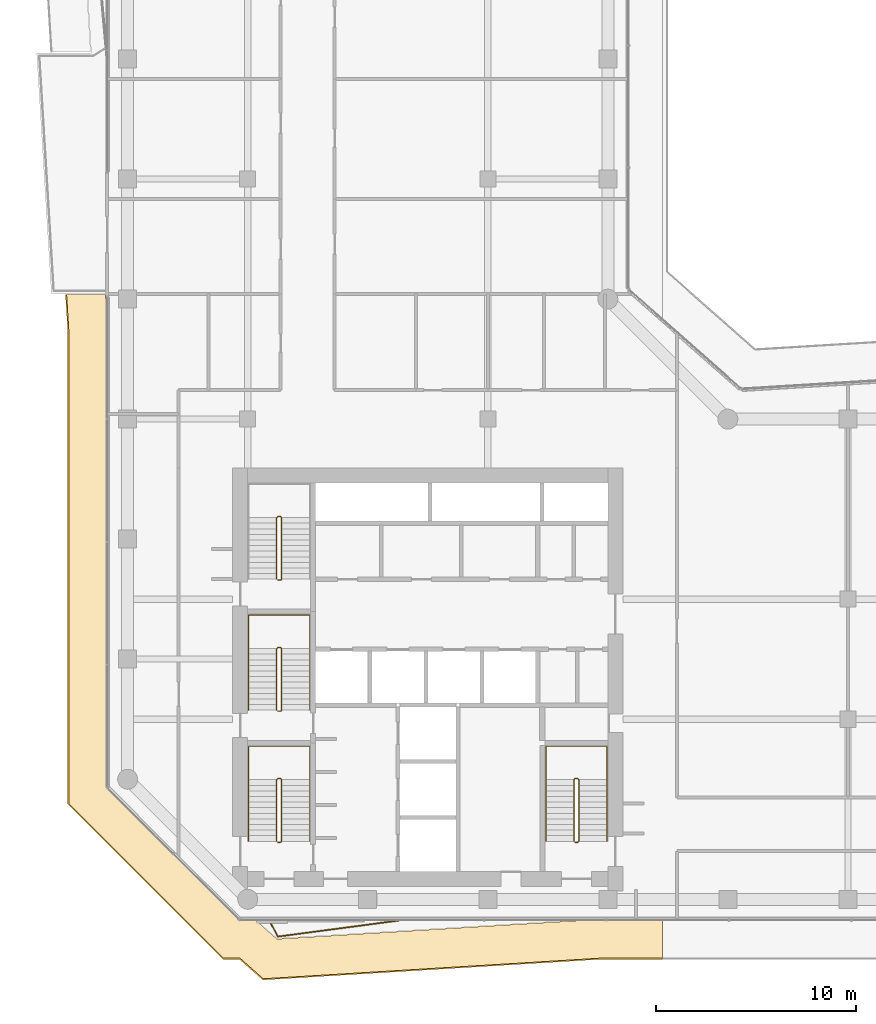
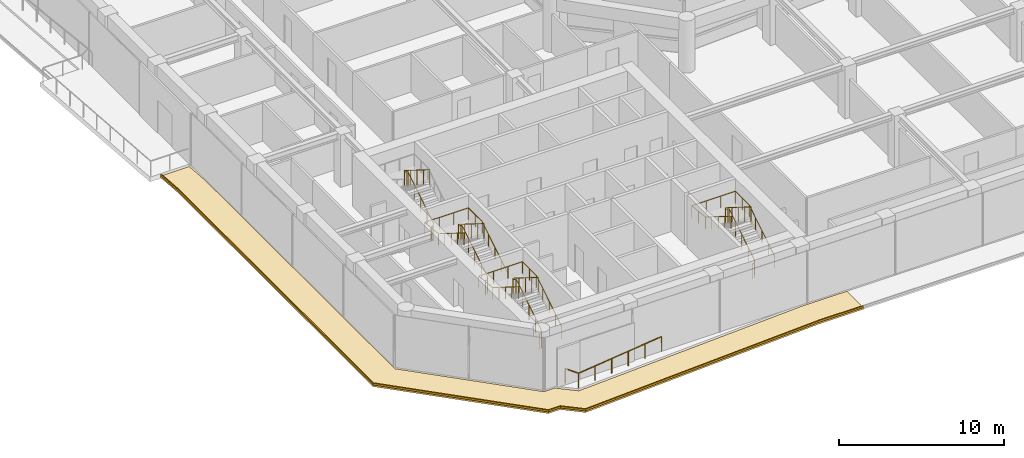
# One storey, part 22 of 23: 8 railings, 2 coverings.
"""IFC4 building model written with IfcOpenShell, lengths in metres."""

from ifc_helpers import new_model, si_unit, direction, frame, origin, origin_2d, place, context, subcontext, project, spatial, polyline, circle, outline, extrude, material, layer, layer_set, type_object, element, save


model = new_model("IFC4")

# Units and contexts
model_context = context("Model", 3, precision=1e-05, world=origin(), true_north=direction((0.0, 1.0)))
body_context = subcontext(model_context, "Body", "Model", "MODEL_VIEW")
ifc_project = project(units=[si_unit("LENGTHUNIT", "METRE"), si_unit("AREAUNIT", "SQUARE_METRE"), si_unit("VOLUMEUNIT", "CUBIC_METRE"), si_unit("PLANEANGLEUNIT", "RADIAN"), si_unit("MASSUNIT", "GRAM", prefix="KILO")], contexts=[model_context])

# Site, building, storey
site_placement = place(None, origin())
site = spatial("IfcSite", under=ifc_project, at=site_placement, CompositionType="ELEMENT")
building_placement = place(site_placement, origin())
building = spatial("IfcBuilding", under=site, at=building_placement, Name="Welwitschia Terrace Campus", CompositionType="ELEMENT")
storey_placement = place(building_placement, frame((0.0, 0.0, 96.199951171875)))
storey = spatial("IfcBuildingStorey", under=building, at=storey_placement, Name="L21", CompositionType="ELEMENT", Elevation=96.199951171875)

# Railings
ifc_material_1 = material(Name="Stainless steel grade 316", Category="steel")
railing_type_1 = type_object("IfcRailingType", Name="Guard 1100", PredefinedType="GUARDRAIL", material=ifc_material_1)
railing_1_placement = place(storey_placement, frame((13.787353515625, 2.969970703125, 0.0)))
element("IfcRailing", 1, at=railing_1_placement, inside=storey, type_object=railing_type_1, Name="Guard floor edge L21.2", PredefinedType="GUARDRAIL", context=body_context, shape_type="SweptSolid", body=[
    extrude(circle(Radius=0.02392578125, at=origin_2d()), frame((0.0, 0.0, 1.076171875), z_axis=(-0.991300394056, -0.131618876855, 0.0), x_axis=(0.131618876855, -0.991300394056, 0.0)), (0.0, 0.0, 1.0), 6.340087890625),
    extrude(circle(Radius=0.02392578125, at=origin_2d()), frame((-6.284912109375, -0.83447265625, 1.076171875), z_axis=(-0.461891893513, 0.886936231477, 0.0), x_axis=(-0.886936231477, -0.461891893513, 0.0)), (0.0, 0.0, 1.0), 0.94091796875),
    extrude(circle(Radius=0.02099609375, at=origin_2d()), origin(), (0.0, 0.0, 1.0), 1.052001953125),
    extrude(circle(Radius=0.02099609375, at=origin_2d()), frame((-1.257080078125, -0.1669921875, 0.0)), (0.0, 0.0, 1.0), 1.052001953125),
    extrude(circle(Radius=0.02099609375, at=origin_2d()), frame((-2.513916015625, -0.333740234375, 0.0)), (0.0, 0.0, 1.0), 1.052001953125),
    extrude(circle(Radius=0.02099609375, at=origin_2d()), frame((-3.77099609375, -0.500732421875, 0.0)), (0.0, 0.0, 1.0), 1.052001953125),
    extrude(circle(Radius=0.02099609375, at=origin_2d()), frame((-5.02783203125, -0.66748046875, 0.0)), (0.0, 0.0, 1.0), 1.052001953125),
    extrude(circle(Radius=0.02099609375, at=origin_2d()), frame((-6.284912109375, -0.83447265625, 0.0)), (0.0, 0.0, 1.0), 1.052001953125),
    extrude(circle(Radius=0.02099609375, at=origin_2d()), frame((-6.719482421875, 0.0, 0.0)), (0.0, 0.0, 1.0), 1.052001953125),
])
ifc_material_2 = material(Name="Steel S355", Category="steel")
railing_type_2 = type_object("IfcRailingType", Name="Stair guard 1100", PredefinedType="GUARDRAIL", material=ifc_material_2)
railing_2_placement = place(storey_placement, frame((7.5, 6.85009765625, 0.0)))
element("IfcRailing", 2, at=railing_2_placement, inside=storey, type_object=railing_type_2, Name="L21 S1 stair guard", PredefinedType="GUARDRAIL", context=body_context, shape_type="SweptSolid", body=[
    extrude(circle(Radius=0.02392578125, at=origin_2d()), frame((0.0, 0.0, 1.076171875), z_axis=(1.0, 0.0, 0.0), x_axis=(0.0, 1.0, 0.0)), (0.0, 0.0, 1.0), 0.14990234375),
    extrude(circle(Radius=0.02392578125, at=origin_2d()), frame((0.14990234375, 0.0, 1.076171875), z_axis=(0.265155923931, 0.263862480399, 0.927399011991), x_axis=(-0.705375805398, 0.708833529934, 0.0)), (0.0, 0.0, 1.0), 0.188720703125),
    extrude(circle(Radius=0.02392578125, at=origin_2d()), frame((0.199951171875, 0.0498046875, 1.2509765625), z_axis=(0.0, 0.847998304005, 0.529998940003), x_axis=(-1.0, 0.0, 0.0)), (0.0, 0.0, 1.0), 3.632080078125),
    extrude(circle(Radius=0.02392578125, at=origin_2d()), frame((0.199951171875, 3.1298828125, 3.17626953125), z_axis=(-0.707106781187, 0.707106781187, 0.0), x_axis=(-0.707106781187, -0.707106781187, 0.0)), (0.0, 0.0, 1.0), 0.07080078125),
    extrude(circle(Radius=0.02392578125, at=origin_2d()), frame((0.14990234375, 3.179931640625, 3.17626953125), z_axis=(-1.0, 0.0, 0.0), x_axis=(0.0, -1.0, 0.0)), (0.0, 0.0, 1.0), 0.14990234375),
    extrude(circle(Radius=0.02392578125, at=origin_2d()), frame((0.0, 3.179931640625, 3.17626953125), z_axis=(-0.265065253269, -0.265065253269, 0.927081885822), x_axis=(0.707106781187, -0.707106781187, 0.0)), (0.0, 0.0, 1.0), 0.188720703125),
    extrude(circle(Radius=0.02392578125, at=origin_2d()), frame((-0.050048828125, 3.1298828125, 3.35107421875), z_axis=(0.0, -0.848028513186, 0.529950602248), x_axis=(1.0, 0.0, 0.0)), (0.0, 0.0, 1.0), 3.632080078125),
    extrude(circle(Radius=0.02099609375, at=origin_2d()), origin(), (0.0, 0.0, 1.0), 1.052001953125),
    extrude(circle(Radius=0.02099609375, at=origin_2d()), frame((0.14990234375, 0.0, 0.0)), (0.0, 0.0, 1.0), 1.052001953125),
    extrude(circle(Radius=0.02099609375, at=origin_2d()), frame((0.199951171875, 0.0498046875, 0.175048828125)), (0.0, 0.0, 1.0), 1.052001953125),
    extrude(circle(Radius=0.02099609375, at=origin_2d()), frame((0.199951171875, 0.81982421875, 0.65625)), (0.0, 0.0, 1.0), 1.052001953125),
    extrude(circle(Radius=0.02099609375, at=origin_2d()), frame((0.199951171875, 1.58984375, 1.1376953125)), (0.0, 0.0, 1.0), 1.052001953125),
    extrude(circle(Radius=0.02099609375, at=origin_2d()), frame((0.199951171875, 2.35986328125, 1.618896484375)), (0.0, 0.0, 1.0), 1.052001953125),
    extrude(circle(Radius=0.02099609375, at=origin_2d()), frame((0.199951171875, 3.1298828125, 2.10009765625)), (0.0, 0.0, 1.0), 1.052001953125),
    extrude(circle(Radius=0.02099609375, at=origin_2d()), frame((0.14990234375, 3.179931640625, 2.10009765625)), (0.0, 0.0, 1.0), 1.052001953125),
    extrude(circle(Radius=0.02099609375, at=origin_2d()), frame((0.0, 3.179931640625, 2.10009765625)), (0.0, 0.0, 1.0), 1.052001953125),
    extrude(circle(Radius=0.02099609375, at=origin_2d()), frame((-0.050048828125, 3.1298828125, 2.275146484375)), (0.0, 0.0, 1.0), 1.052001953125),
    extrude(circle(Radius=0.02099609375, at=origin_2d()), frame((-0.050048828125, 2.35986328125, 2.75634765625)), (0.0, 0.0, 1.0), 1.052001953125),
    extrude(circle(Radius=0.02099609375, at=origin_2d()), frame((-0.050048828125, 1.58984375, 3.237548828125)), (0.0, 0.0, 1.0), 1.052001953125),
    extrude(circle(Radius=0.02099609375, at=origin_2d()), frame((-0.050048828125, 0.81982421875, 3.71875)), (0.0, 0.0, 1.0), 1.052001953125),
    extrude(circle(Radius=0.02099609375, at=origin_2d()), frame((-0.050048828125, 0.0498046875, 4.199951171875)), (0.0, 0.0, 1.0), 1.052001953125),
])
railing_3_placement = place(storey_placement, frame((7.5, 13.39990234375, 0.0)))
element("IfcRailing", 3, at=railing_3_placement, inside=storey, type_object=railing_type_2, Name="L21 S3 stair guard", PredefinedType="GUARDRAIL", context=body_context, shape_type="SweptSolid", body=[
    extrude(circle(Radius=0.02392578125, at=origin_2d()), frame((0.0, 0.0, 1.076171875), z_axis=(1.0, 0.0, 0.0), x_axis=(0.0, 1.0, 0.0)), (0.0, 0.0, 1.0), 0.14990234375),
    extrude(circle(Radius=0.02392578125, at=origin_2d()), frame((0.14990234375, 0.0, 1.076171875), z_axis=(0.265065253269, 0.265065253269, 0.927081885822), x_axis=(-0.707106781187, 0.707106781187, 0.0)), (0.0, 0.0, 1.0), 0.188720703125),
    extrude(circle(Radius=0.02392578125, at=origin_2d()), frame((0.199951171875, 0.050048828125, 1.2509765625), z_axis=(0.0, 0.847998304005, 0.529998940003), x_axis=(-1.0, 0.0, 0.0)), (0.0, 0.0, 1.0), 3.632080078125),
    extrude(circle(Radius=0.02392578125, at=origin_2d()), frame((0.199951171875, 3.130126953125, 3.17626953125), z_axis=(-0.707106781187, 0.707106781187, 0.0), x_axis=(-0.707106781187, -0.707106781187, 0.0)), (0.0, 0.0, 1.0), 0.07080078125),
    extrude(circle(Radius=0.02392578125, at=origin_2d()), frame((0.14990234375, 3.18017578125, 3.17626953125), z_axis=(-1.0, 0.0, 0.0), x_axis=(0.0, -1.0, 0.0)), (0.0, 0.0, 1.0), 0.14990234375),
    extrude(circle(Radius=0.02392578125, at=origin_2d()), frame((0.0, 3.18017578125, 3.17626953125), z_axis=(-0.265065253269, -0.265065253269, 0.927081885822), x_axis=(0.707106781187, -0.707106781187, 0.0)), (0.0, 0.0, 1.0), 0.188720703125),
    extrude(circle(Radius=0.02392578125, at=origin_2d()), frame((-0.050048828125, 3.130126953125, 3.35107421875), z_axis=(0.0, -0.848028513186, 0.529950602248), x_axis=(1.0, 0.0, 0.0)), (0.0, 0.0, 1.0), 3.632080078125),
    extrude(circle(Radius=0.02099609375, at=origin_2d()), origin(), (0.0, 0.0, 1.0), 1.052001953125),
    extrude(circle(Radius=0.02099609375, at=origin_2d()), frame((0.14990234375, 0.0, 0.0)), (0.0, 0.0, 1.0), 1.052001953125),
    extrude(circle(Radius=0.02099609375, at=origin_2d()), frame((0.199951171875, 0.050048828125, 0.175048828125)), (0.0, 0.0, 1.0), 1.052001953125),
    extrude(circle(Radius=0.02099609375, at=origin_2d()), frame((0.199951171875, 0.820068359375, 0.65625)), (0.0, 0.0, 1.0), 1.052001953125),
    extrude(circle(Radius=0.02099609375, at=origin_2d()), frame((0.199951171875, 1.590087890625, 1.1376953125)), (0.0, 0.0, 1.0), 1.052001953125),
    extrude(circle(Radius=0.02099609375, at=origin_2d()), frame((0.199951171875, 2.360107421875, 1.618896484375)), (0.0, 0.0, 1.0), 1.052001953125),
    extrude(circle(Radius=0.02099609375, at=origin_2d()), frame((0.199951171875, 3.130126953125, 2.10009765625)), (0.0, 0.0, 1.0), 1.052001953125),
    extrude(circle(Radius=0.02099609375, at=origin_2d()), frame((0.14990234375, 3.18017578125, 2.10009765625)), (0.0, 0.0, 1.0), 1.052001953125),
    extrude(circle(Radius=0.02099609375, at=origin_2d()), frame((0.0, 3.18017578125, 2.10009765625)), (0.0, 0.0, 1.0), 1.052001953125),
    extrude(circle(Radius=0.02099609375, at=origin_2d()), frame((-0.050048828125, 3.130126953125, 2.275146484375)), (0.0, 0.0, 1.0), 1.052001953125),
    extrude(circle(Radius=0.02099609375, at=origin_2d()), frame((-0.050048828125, 2.360107421875, 2.75634765625)), (0.0, 0.0, 1.0), 1.052001953125),
    extrude(circle(Radius=0.02099609375, at=origin_2d()), frame((-0.050048828125, 1.590087890625, 3.237548828125)), (0.0, 0.0, 1.0), 1.052001953125),
    extrude(circle(Radius=0.02099609375, at=origin_2d()), frame((-0.050048828125, 0.820068359375, 3.71875)), (0.0, 0.0, 1.0), 1.052001953125),
    extrude(circle(Radius=0.02099609375, at=origin_2d()), frame((-0.050048828125, 0.050048828125, 4.199951171875)), (0.0, 0.0, 1.0), 1.052001953125),
])
railing_4_placement = place(storey_placement, frame((7.5, 19.949951171875, 0.0)))
element("IfcRailing", 4, at=railing_4_placement, inside=storey, type_object=railing_type_2, Name="L21 S4 stair guard", PredefinedType="GUARDRAIL", context=body_context, shape_type="SweptSolid", body=[
    extrude(circle(Radius=0.02392578125, at=origin_2d()), frame((0.0, 0.0, 1.076171875), z_axis=(1.0, 0.0, 0.0), x_axis=(0.0, 1.0, 0.0)), (0.0, 0.0, 1.0), 0.14990234375),
    extrude(circle(Radius=0.02392578125, at=origin_2d()), frame((0.14990234375, 0.0, 1.076171875), z_axis=(0.265065253269, 0.265065253269, 0.927081885822), x_axis=(-0.707106781187, 0.707106781187, 0.0)), (0.0, 0.0, 1.0), 0.188720703125),
    extrude(circle(Radius=0.02392578125, at=origin_2d()), frame((0.199951171875, 0.050048828125, 1.2509765625), z_axis=(0.0, 0.847998304005, 0.529998940003), x_axis=(-1.0, 0.0, 0.0)), (0.0, 0.0, 1.0), 3.632080078125),
    extrude(circle(Radius=0.02392578125, at=origin_2d()), frame((0.199951171875, 3.130126953125, 3.17626953125), z_axis=(-0.708833529934, 0.705375805398, 0.0), x_axis=(-0.705375805398, -0.708833529934, 0.0)), (0.0, 0.0, 1.0), 0.070556640625),
    extrude(circle(Radius=0.02392578125, at=origin_2d()), frame((0.14990234375, 3.179931640625, 3.17626953125), z_axis=(-1.0, 0.0, 0.0), x_axis=(0.0, -1.0, 0.0)), (0.0, 0.0, 1.0), 0.14990234375),
    extrude(circle(Radius=0.02392578125, at=origin_2d()), frame((0.0, 3.179931640625, 3.17626953125), z_axis=(-0.265155923931, -0.263862480399, 0.927399011991), x_axis=(0.705375805398, -0.708833529934, 0.0)), (0.0, 0.0, 1.0), 0.188720703125),
    extrude(circle(Radius=0.02392578125, at=origin_2d()), frame((-0.050048828125, 3.130126953125, 3.35107421875), z_axis=(0.0, -0.848028513186, 0.529950602248), x_axis=(1.0, 0.0, 0.0)), (0.0, 0.0, 1.0), 3.632080078125),
    extrude(circle(Radius=0.02099609375, at=origin_2d()), origin(), (0.0, 0.0, 1.0), 1.052001953125),
    extrude(circle(Radius=0.02099609375, at=origin_2d()), frame((0.14990234375, 0.0, 0.0)), (0.0, 0.0, 1.0), 1.052001953125),
    extrude(circle(Radius=0.02099609375, at=origin_2d()), frame((0.199951171875, 0.050048828125, 0.175048828125)), (0.0, 0.0, 1.0), 1.052001953125),
    extrude(circle(Radius=0.02099609375, at=origin_2d()), frame((0.199951171875, 0.820068359375, 0.65625)), (0.0, 0.0, 1.0), 1.052001953125),
    extrude(circle(Radius=0.02099609375, at=origin_2d()), frame((0.199951171875, 1.590087890625, 1.1376953125)), (0.0, 0.0, 1.0), 1.052001953125),
    extrude(circle(Radius=0.02099609375, at=origin_2d()), frame((0.199951171875, 2.360107421875, 1.618896484375)), (0.0, 0.0, 1.0), 1.052001953125),
    extrude(circle(Radius=0.02099609375, at=origin_2d()), frame((0.199951171875, 3.130126953125, 2.10009765625)), (0.0, 0.0, 1.0), 1.052001953125),
    extrude(circle(Radius=0.02099609375, at=origin_2d()), frame((0.14990234375, 3.179931640625, 2.10009765625)), (0.0, 0.0, 1.0), 1.052001953125),
    extrude(circle(Radius=0.02099609375, at=origin_2d()), frame((0.0, 3.179931640625, 2.10009765625)), (0.0, 0.0, 1.0), 1.052001953125),
    extrude(circle(Radius=0.02099609375, at=origin_2d()), frame((-0.050048828125, 3.130126953125, 2.275146484375)), (0.0, 0.0, 1.0), 1.052001953125),
    extrude(circle(Radius=0.02099609375, at=origin_2d()), frame((-0.050048828125, 2.360107421875, 2.75634765625)), (0.0, 0.0, 1.0), 1.052001953125),
    extrude(circle(Radius=0.02099609375, at=origin_2d()), frame((-0.050048828125, 1.590087890625, 3.237548828125)), (0.0, 0.0, 1.0), 1.052001953125),
    extrude(circle(Radius=0.02099609375, at=origin_2d()), frame((-0.050048828125, 0.820068359375, 3.71875)), (0.0, 0.0, 1.0), 1.052001953125),
    extrude(circle(Radius=0.02099609375, at=origin_2d()), frame((-0.050048828125, 0.050048828125, 4.199951171875)), (0.0, 0.0, 1.0), 1.052001953125),
])
railing_5_placement = place(storey_placement, frame((22.35009765625, 6.85009765625, 0.0)))
element("IfcRailing", 5, at=railing_5_placement, inside=storey, type_object=railing_type_2, Name="L21 S2 stair guard", PredefinedType="GUARDRAIL", context=body_context, shape_type="SweptSolid", body=[
    extrude(circle(Radius=0.02392578125, at=origin_2d()), frame((0.0, 0.0, 1.076171875), z_axis=(1.0, 0.0, 0.0), x_axis=(0.0, 1.0, 0.0)), (0.0, 0.0, 1.0), 0.14990234375),
    extrude(circle(Radius=0.02392578125, at=origin_2d()), frame((0.14990234375, 0.0, 1.076171875), z_axis=(0.265155923931, 0.263862480399, 0.927399011991), x_axis=(-0.705375805398, 0.708833529934, 0.0)), (0.0, 0.0, 1.0), 0.188720703125),
    extrude(circle(Radius=0.02392578125, at=origin_2d()), frame((0.199951171875, 0.0498046875, 1.2509765625), z_axis=(0.0, 0.847998304005, 0.529998940003), x_axis=(-1.0, 0.0, 0.0)), (0.0, 0.0, 1.0), 3.632080078125),
    extrude(circle(Radius=0.02392578125, at=origin_2d()), frame((0.199951171875, 3.1298828125, 3.17626953125), z_axis=(-0.707106781187, 0.707106781187, 0.0), x_axis=(-0.707106781187, -0.707106781187, 0.0)), (0.0, 0.0, 1.0), 0.07080078125),
    extrude(circle(Radius=0.02392578125, at=origin_2d()), frame((0.14990234375, 3.179931640625, 3.17626953125), z_axis=(-1.0, 0.0, 0.0), x_axis=(0.0, -1.0, 0.0)), (0.0, 0.0, 1.0), 0.14990234375),
    extrude(circle(Radius=0.02392578125, at=origin_2d()), frame((0.0, 3.179931640625, 3.17626953125), z_axis=(-0.265065253269, -0.265065253269, 0.927081885822), x_axis=(0.707106781187, -0.707106781187, 0.0)), (0.0, 0.0, 1.0), 0.188720703125),
    extrude(circle(Radius=0.02392578125, at=origin_2d()), frame((-0.050048828125, 3.1298828125, 3.35107421875), z_axis=(0.0, -0.848028513186, 0.529950602248), x_axis=(1.0, 0.0, 0.0)), (0.0, 0.0, 1.0), 3.632080078125),
    extrude(circle(Radius=0.02099609375, at=origin_2d()), origin(), (0.0, 0.0, 1.0), 1.052001953125),
    extrude(circle(Radius=0.02099609375, at=origin_2d()), frame((0.14990234375, 0.0, 0.0)), (0.0, 0.0, 1.0), 1.052001953125),
    extrude(circle(Radius=0.02099609375, at=origin_2d()), frame((0.199951171875, 0.0498046875, 0.175048828125)), (0.0, 0.0, 1.0), 1.052001953125),
    extrude(circle(Radius=0.02099609375, at=origin_2d()), frame((0.199951171875, 0.81982421875, 0.65625)), (0.0, 0.0, 1.0), 1.052001953125),
    extrude(circle(Radius=0.02099609375, at=origin_2d()), frame((0.199951171875, 1.58984375, 1.1376953125)), (0.0, 0.0, 1.0), 1.052001953125),
    extrude(circle(Radius=0.02099609375, at=origin_2d()), frame((0.199951171875, 2.35986328125, 1.618896484375)), (0.0, 0.0, 1.0), 1.052001953125),
    extrude(circle(Radius=0.02099609375, at=origin_2d()), frame((0.199951171875, 3.1298828125, 2.10009765625)), (0.0, 0.0, 1.0), 1.052001953125),
    extrude(circle(Radius=0.02099609375, at=origin_2d()), frame((0.14990234375, 3.179931640625, 2.10009765625)), (0.0, 0.0, 1.0), 1.052001953125),
    extrude(circle(Radius=0.02099609375, at=origin_2d()), frame((0.0, 3.179931640625, 2.10009765625)), (0.0, 0.0, 1.0), 1.052001953125),
    extrude(circle(Radius=0.02099609375, at=origin_2d()), frame((-0.050048828125, 3.1298828125, 2.275146484375)), (0.0, 0.0, 1.0), 1.052001953125),
    extrude(circle(Radius=0.02099609375, at=origin_2d()), frame((-0.050048828125, 2.35986328125, 2.75634765625)), (0.0, 0.0, 1.0), 1.052001953125),
    extrude(circle(Radius=0.02099609375, at=origin_2d()), frame((-0.050048828125, 1.58984375, 3.237548828125)), (0.0, 0.0, 1.0), 1.052001953125),
    extrude(circle(Radius=0.02099609375, at=origin_2d()), frame((-0.050048828125, 0.81982421875, 3.71875)), (0.0, 0.0, 1.0), 1.052001953125),
    extrude(circle(Radius=0.02099609375, at=origin_2d()), frame((-0.050048828125, 0.0498046875, 4.199951171875)), (0.0, 0.0, 1.0), 1.052001953125),
])
ifc_material_3 = material(Name="Steel S355", Category="steel")
railing_type_3 = type_object("IfcRailingType", Name="Stair handrail 900", PredefinedType="HANDRAIL", material=ifc_material_3)
railing_6_placement = place(storey_placement, frame((9.10009765625, 6.89990234375, 0.175048828125)))
element("IfcRailing", 6, at=railing_6_placement, inside=storey, type_object=railing_type_3, Name="L21 S1 stair handrail", PredefinedType="HANDRAIL", context=body_context, shape_type="SweptSolid", body=[
    extrude(circle(Radius=0.02392578125, at=origin_2d()), frame((0.0, 0.0, 0.8759765625), z_axis=(0.0, 0.847998304005, 0.529998940003), x_axis=(-1.0, 0.0, 0.0)), (0.0, 0.0, 1.0), 3.632080078125),
    extrude(circle(Radius=0.02392578125, at=origin_2d()), frame((0.0, 3.080078125, 2.80078125), z_axis=(0.0, 1.0, 0.0), x_axis=(-1.0, 0.0, 0.0)), (0.0, 0.0, 1.0), 1.669921875),
    extrude(circle(Radius=0.02392578125, at=origin_2d()), frame((0.0, 4.75, 2.80078125), z_axis=(-1.0, 0.0, 0.0), x_axis=(0.0, -1.0, 0.0)), (0.0, 0.0, 1.0), 3.050048828125),
    extrude(circle(Radius=0.02392578125, at=origin_2d()), frame((-3.050048828125, 4.75, 2.80078125), z_axis=(0.0, -0.99455077262, 0.104253348533), x_axis=(1.0, 0.0, 0.0)), (0.0, 0.0, 1.0), 1.678955078125),
    extrude(circle(Radius=0.02392578125, at=origin_2d()), frame((-3.050048828125, 3.080078125, 2.97607421875), z_axis=(0.0, -0.848028513186, 0.529950602248), x_axis=(1.0, 0.0, 0.0)), (0.0, 0.0, 1.0), 3.632080078125),
    extrude(circle(Radius=0.02099609375, at=origin_2d()), origin(), (0.0, 0.0, 1.0), 0.851806640625),
    extrude(circle(Radius=0.02099609375, at=origin_2d()), frame((0.0, 0.77001953125, 0.481201171875)), (0.0, 0.0, 1.0), 0.851806640625),
    extrude(circle(Radius=0.02099609375, at=origin_2d()), frame((0.0, 1.5400390625, 0.96240234375)), (0.0, 0.0, 1.0), 0.851806640625),
    extrude(circle(Radius=0.02099609375, at=origin_2d()), frame((0.0, 2.31005859375, 1.44384765625)), (0.0, 0.0, 1.0), 0.851806640625),
    extrude(circle(Radius=0.02099609375, at=origin_2d()), frame((0.0, 3.080078125, 1.925048828125)), (0.0, 0.0, 1.0), 0.851806640625),
    extrude(circle(Radius=0.02099609375, at=origin_2d()), frame((0.0, 3.9150390625, 1.925048828125)), (0.0, 0.0, 1.0), 0.851806640625),
    extrude(circle(Radius=0.02099609375, at=origin_2d()), frame((0.0, 4.75, 1.925048828125)), (0.0, 0.0, 1.0), 0.851806640625),
    extrude(circle(Radius=0.02099609375, at=origin_2d()), frame((-1.0166015625, 4.75, 1.925048828125)), (0.0, 0.0, 1.0), 0.851806640625),
    extrude(circle(Radius=0.02099609375, at=origin_2d()), frame((-2.033447265625, 4.75, 1.925048828125)), (0.0, 0.0, 1.0), 0.851806640625),
    extrude(circle(Radius=0.02099609375, at=origin_2d()), frame((-3.050048828125, 4.75, 1.925048828125)), (0.0, 0.0, 1.0), 0.851806640625),
    extrude(circle(Radius=0.02099609375, at=origin_2d()), frame((-3.050048828125, 3.9150390625, 2.0126953125)), (0.0, 0.0, 1.0), 0.851806640625),
    extrude(circle(Radius=0.02099609375, at=origin_2d()), frame((-3.050048828125, 3.080078125, 2.10009765625)), (0.0, 0.0, 1.0), 0.851806640625),
    extrude(circle(Radius=0.02099609375, at=origin_2d()), frame((-3.050048828125, 2.31005859375, 2.581298828125)), (0.0, 0.0, 1.0), 0.851806640625),
    extrude(circle(Radius=0.02099609375, at=origin_2d()), frame((-3.050048828125, 1.5400390625, 3.0625)), (0.0, 0.0, 1.0), 0.851806640625),
    extrude(circle(Radius=0.02099609375, at=origin_2d()), frame((-3.050048828125, 0.77001953125, 3.543701171875)), (0.0, 0.0, 1.0), 0.851806640625),
    extrude(circle(Radius=0.02099609375, at=origin_2d()), frame((-3.050048828125, 0.0, 4.02490234375)), (0.0, 0.0, 1.0), 0.851806640625),
])
railing_7_placement = place(storey_placement, frame((9.10009765625, 13.449951171875, 0.175048828125)))
element("IfcRailing", 7, at=railing_7_placement, inside=storey, type_object=railing_type_3, Name="L21 S3 stair handrail", PredefinedType="HANDRAIL", context=body_context, shape_type="SweptSolid", body=[
    extrude(circle(Radius=0.02392578125, at=origin_2d()), frame((0.0, 0.0, 0.8759765625), z_axis=(0.0, 0.847998304005, 0.529998940003), x_axis=(-1.0, 0.0, 0.0)), (0.0, 0.0, 1.0), 3.632080078125),
    extrude(circle(Radius=0.02392578125, at=origin_2d()), frame((0.0, 3.080078125, 2.80078125), z_axis=(0.0, 1.0, 0.0), x_axis=(-1.0, 0.0, 0.0)), (0.0, 0.0, 1.0), 1.669921875),
    extrude(circle(Radius=0.02392578125, at=origin_2d()), frame((0.0, 4.75, 2.80078125), z_axis=(-1.0, 0.0, 0.0), x_axis=(0.0, -1.0, 0.0)), (0.0, 0.0, 1.0), 3.050048828125),
    extrude(circle(Radius=0.02392578125, at=origin_2d()), frame((-3.050048828125, 4.75, 2.80078125), z_axis=(0.0, -0.99455077262, 0.104253348533), x_axis=(1.0, 0.0, 0.0)), (0.0, 0.0, 1.0), 1.678955078125),
    extrude(circle(Radius=0.02392578125, at=origin_2d()), frame((-3.050048828125, 3.080078125, 2.97607421875), z_axis=(0.0, -0.848028513186, 0.529950602248), x_axis=(1.0, 0.0, 0.0)), (0.0, 0.0, 1.0), 3.632080078125),
    extrude(circle(Radius=0.02099609375, at=origin_2d()), origin(), (0.0, 0.0, 1.0), 0.851806640625),
    extrude(circle(Radius=0.02099609375, at=origin_2d()), frame((0.0, 0.77001953125, 0.481201171875)), (0.0, 0.0, 1.0), 0.851806640625),
    extrude(circle(Radius=0.02099609375, at=origin_2d()), frame((0.0, 1.5400390625, 0.96240234375)), (0.0, 0.0, 1.0), 0.851806640625),
    extrude(circle(Radius=0.02099609375, at=origin_2d()), frame((0.0, 2.31005859375, 1.44384765625)), (0.0, 0.0, 1.0), 0.851806640625),
    extrude(circle(Radius=0.02099609375, at=origin_2d()), frame((0.0, 3.080078125, 1.925048828125)), (0.0, 0.0, 1.0), 0.851806640625),
    extrude(circle(Radius=0.02099609375, at=origin_2d()), frame((0.0, 3.9150390625, 1.925048828125)), (0.0, 0.0, 1.0), 0.851806640625),
    extrude(circle(Radius=0.02099609375, at=origin_2d()), frame((0.0, 4.75, 1.925048828125)), (0.0, 0.0, 1.0), 0.851806640625),
    extrude(circle(Radius=0.02099609375, at=origin_2d()), frame((-1.0166015625, 4.75, 1.925048828125)), (0.0, 0.0, 1.0), 0.851806640625),
    extrude(circle(Radius=0.02099609375, at=origin_2d()), frame((-2.033447265625, 4.75, 1.925048828125)), (0.0, 0.0, 1.0), 0.851806640625),
    extrude(circle(Radius=0.02099609375, at=origin_2d()), frame((-3.050048828125, 4.75, 1.925048828125)), (0.0, 0.0, 1.0), 0.851806640625),
    extrude(circle(Radius=0.02099609375, at=origin_2d()), frame((-3.050048828125, 3.9150390625, 2.0126953125)), (0.0, 0.0, 1.0), 0.851806640625),
    extrude(circle(Radius=0.02099609375, at=origin_2d()), frame((-3.050048828125, 3.080078125, 2.10009765625)), (0.0, 0.0, 1.0), 0.851806640625),
    extrude(circle(Radius=0.02099609375, at=origin_2d()), frame((-3.050048828125, 2.31005859375, 2.581298828125)), (0.0, 0.0, 1.0), 0.851806640625),
    extrude(circle(Radius=0.02099609375, at=origin_2d()), frame((-3.050048828125, 1.5400390625, 3.0625)), (0.0, 0.0, 1.0), 0.851806640625),
    extrude(circle(Radius=0.02099609375, at=origin_2d()), frame((-3.050048828125, 0.77001953125, 3.543701171875)), (0.0, 0.0, 1.0), 0.851806640625),
    extrude(circle(Radius=0.02099609375, at=origin_2d()), frame((-3.050048828125, 0.0, 4.02490234375)), (0.0, 0.0, 1.0), 0.851806640625),
])
railing_8_placement = place(storey_placement, frame((23.949951171875, 6.89990234375, 0.175048828125)))
element("IfcRailing", 8, at=railing_8_placement, inside=storey, type_object=railing_type_3, Name="L21 S2 stair handrail", PredefinedType="HANDRAIL", context=body_context, shape_type="SweptSolid", body=[
    extrude(circle(Radius=0.02392578125, at=origin_2d()), frame((0.0, 0.0, 0.8759765625), z_axis=(0.0, 0.847998304005, 0.529998940003), x_axis=(-1.0, 0.0, 0.0)), (0.0, 0.0, 1.0), 3.632080078125),
    extrude(circle(Radius=0.02392578125, at=origin_2d()), frame((0.0, 3.080078125, 2.80078125), z_axis=(0.0, 1.0, 0.0), x_axis=(-1.0, 0.0, 0.0)), (0.0, 0.0, 1.0), 1.669921875),
    extrude(circle(Radius=0.02392578125, at=origin_2d()), frame((0.0, 4.75, 2.80078125), z_axis=(-1.0, 0.0, 0.0), x_axis=(0.0, -1.0, 0.0)), (0.0, 0.0, 1.0), 3.050048828125),
    extrude(circle(Radius=0.02392578125, at=origin_2d()), frame((-3.050048828125, 4.75, 2.80078125), z_axis=(0.0, -0.99455077262, 0.104253348533), x_axis=(1.0, 0.0, 0.0)), (0.0, 0.0, 1.0), 1.678955078125),
    extrude(circle(Radius=0.02392578125, at=origin_2d()), frame((-3.050048828125, 3.080078125, 2.97607421875), z_axis=(0.0, -0.848028513186, 0.529950602248), x_axis=(1.0, 0.0, 0.0)), (0.0, 0.0, 1.0), 3.632080078125),
    extrude(circle(Radius=0.02099609375, at=origin_2d()), origin(), (0.0, 0.0, 1.0), 0.851806640625),
    extrude(circle(Radius=0.02099609375, at=origin_2d()), frame((0.0, 0.77001953125, 0.481201171875)), (0.0, 0.0, 1.0), 0.851806640625),
    extrude(circle(Radius=0.02099609375, at=origin_2d()), frame((0.0, 1.5400390625, 0.96240234375)), (0.0, 0.0, 1.0), 0.851806640625),
    extrude(circle(Radius=0.02099609375, at=origin_2d()), frame((0.0, 2.31005859375, 1.44384765625)), (0.0, 0.0, 1.0), 0.851806640625),
    extrude(circle(Radius=0.02099609375, at=origin_2d()), frame((0.0, 3.080078125, 1.925048828125)), (0.0, 0.0, 1.0), 0.851806640625),
    extrude(circle(Radius=0.02099609375, at=origin_2d()), frame((0.0, 3.9150390625, 1.925048828125)), (0.0, 0.0, 1.0), 0.851806640625),
    extrude(circle(Radius=0.02099609375, at=origin_2d()), frame((0.0, 4.75, 1.925048828125)), (0.0, 0.0, 1.0), 0.851806640625),
    extrude(circle(Radius=0.02099609375, at=origin_2d()), frame((-1.0166015625, 4.75, 1.925048828125)), (0.0, 0.0, 1.0), 0.851806640625),
    extrude(circle(Radius=0.02099609375, at=origin_2d()), frame((-2.033447265625, 4.75, 1.925048828125)), (0.0, 0.0, 1.0), 0.851806640625),
    extrude(circle(Radius=0.02099609375, at=origin_2d()), frame((-3.050048828125, 4.75, 1.925048828125)), (0.0, 0.0, 1.0), 0.851806640625),
    extrude(circle(Radius=0.02099609375, at=origin_2d()), frame((-3.050048828125, 3.9150390625, 2.0126953125)), (0.0, 0.0, 1.0), 0.851806640625),
    extrude(circle(Radius=0.02099609375, at=origin_2d()), frame((-3.050048828125, 3.080078125, 2.10009765625)), (0.0, 0.0, 1.0), 0.851806640625),
    extrude(circle(Radius=0.02099609375, at=origin_2d()), frame((-3.050048828125, 2.31005859375, 2.581298828125)), (0.0, 0.0, 1.0), 0.851806640625),
    extrude(circle(Radius=0.02099609375, at=origin_2d()), frame((-3.050048828125, 1.5400390625, 3.0625)), (0.0, 0.0, 1.0), 0.851806640625),
    extrude(circle(Radius=0.02099609375, at=origin_2d()), frame((-3.050048828125, 0.77001953125, 3.543701171875)), (0.0, 0.0, 1.0), 0.851806640625),
    extrude(circle(Radius=0.02099609375, at=origin_2d()), frame((-3.050048828125, 0.0, 4.02490234375)), (0.0, 0.0, 1.0), 0.851806640625),
])

# Coverings
ifc_material_4 = material(Name="Bronze anodised aluminium", Category="aluminium")
ifc_layer_1 = layer(ifc_material_4, 0.1201171875)
ifc_layer_set_1 = layer_set([ifc_layer_1], Name="Bronze anodised aluminium")
covering_type_1 = type_object("IfcCoveringType", Name="Sunshade band 2000", PredefinedType="USERDEFINED", material=ifc_layer_set_1)
covering_1_placement = place(storey_placement, frame((0.0, 0.0, -0.25)))
element("IfcCovering", 9, at=covering_1_placement, inside=storey, type_object=covering_type_1, Name="SUNSHADE L21.SW1", ObjectType="SUNSHADE", PredefinedType="USERDEFINED", context=body_context, shape_type="SweptSolid", body=[
    extrude(outline(polyline([(23.662109375, 1.0), (6.75537109375, -0.0341796875), (5.58642578125, 1.0), (4.75732421875, 1.0), (-3.0, 8.75732421875), (-3.0, 32.3955078125), (-3.113037109375, 34.242919921875), (-1.109130859375, 34.242919921875), (-1.0, 32.456787109375), (-1.0, 9.585693359375), (5.585693359375, 3.0), (6.34423828125, 3.0), (7.460205078125, 2.0126953125), (23.60107421875, 3.0), (26.7353515625, 3.0), (26.7353515625, 1.0), (23.662109375, 1.0)])), origin(), (0.0, 0.0, 1.0), 0.1201171875),
])
ifc_material_5 = material(Name="Bronze anodised aluminium", Category="aluminium")
ifc_layer_2 = layer(ifc_material_5, 0.06005859375)
ifc_layer_set_2 = layer_set([ifc_layer_2], Name="Bronze anodised aluminium")
covering_type_2 = type_object("IfcCoveringType", Name="Sunshade lip 60", PredefinedType="USERDEFINED", material=ifc_layer_set_2)
covering_2_placement = place(storey_placement, frame((0.0, 0.0, -0.1298828125)))
element("IfcCovering", 10, at=covering_2_placement, inside=storey, type_object=covering_type_2, Name="SUNSHADE LIP L21.SW1.0", ObjectType="SUNSHADE", PredefinedType="USERDEFINED", context=body_context, shape_type="SweptSolid", body=[
    extrude(outline(polyline([(6.75537109375, -0.0341796875), (5.58642578125, 1.0), (4.75732421875, 1.0), (-3.0, 8.75732421875), (-3.0, 32.3955078125), (-3.113037109375, 34.242919921875), (-3.052978515625, 34.242919921875), (-2.93994140625, 32.3974609375), (-2.93994140625, 8.7822265625), (4.7822265625, 1.06005859375), (5.609375, 1.06005859375), (6.776611328125, 0.02734375), (23.660400390625, 1.06005859375), (26.7353515625, 1.06005859375), (26.7353515625, 1.0), (23.662109375, 1.0), (6.75537109375, -0.0341796875)])), origin(), (0.0, 0.0, 1.0), 0.1298828125),
])

save(model, "model.ifc")
